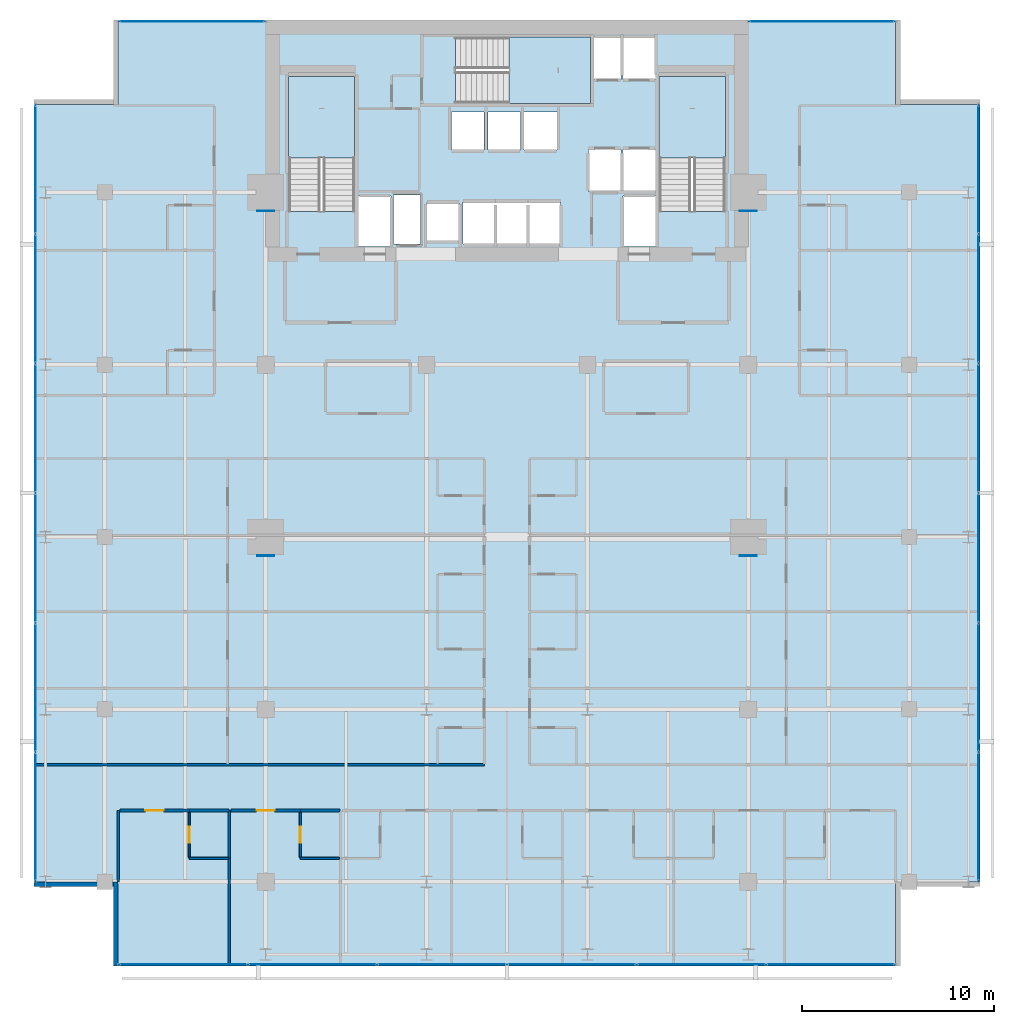
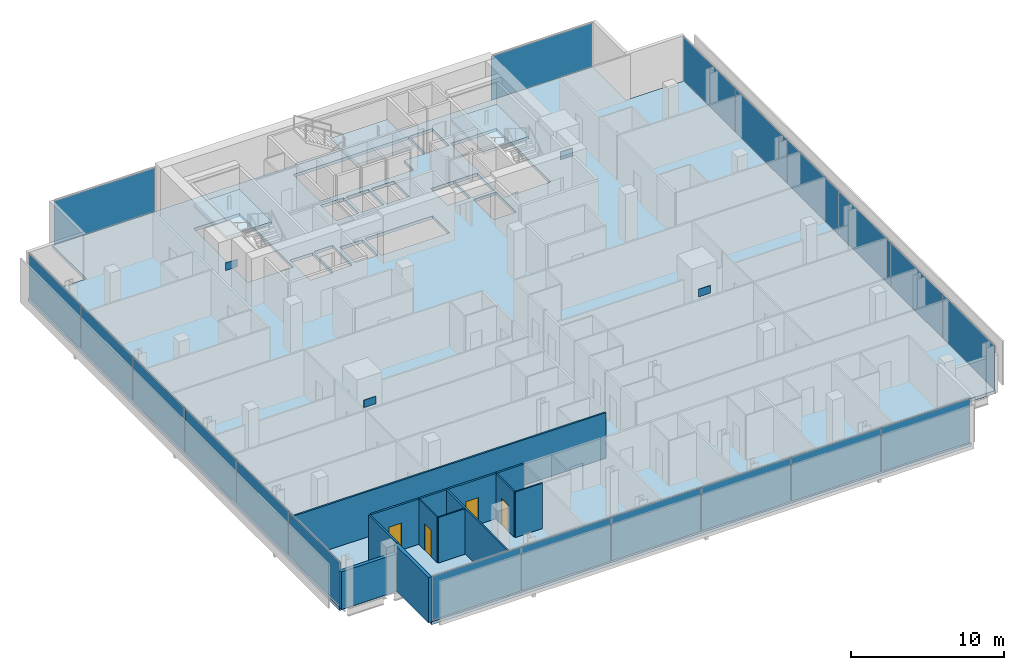
# One storey, part 26 of 34: 24 plates, 13 walls, 4 doors, 4 slabs, 4 openings, 8 elements without a shape of their own.
"""IFC4 building model written with IfcOpenShell, lengths in metres."""

from ifc_helpers import new_model, si_unit, direction, frame, frame_2d, origin, origin_2d, place, context, subcontext, project, spatial, polyline, rectangle, outline, extrude, material, layer, layer_set, type_object, element, fill, aggregate, save


model = new_model("IFC4")

# Units and contexts
model_context = context("Model", 3, precision=1e-05, world=origin(), true_north=direction((0.0, 1.0)))
body_context = subcontext(model_context, "Body", "Model", "MODEL_VIEW")
ifc_project = project(units=[si_unit("LENGTHUNIT", "METRE"), si_unit("AREAUNIT", "SQUARE_METRE"), si_unit("VOLUMEUNIT", "CUBIC_METRE"), si_unit("PLANEANGLEUNIT", "RADIAN"), si_unit("MASSUNIT", "GRAM", prefix="KILO")], contexts=[model_context])

# Site, building, storey
site_placement = place(None, origin())
site = spatial("IfcSite", under=ifc_project, at=site_placement, CompositionType="ELEMENT")
building_placement = place(site_placement, origin())
building = spatial("IfcBuilding", under=site, at=building_placement, Name="Maruvema Waterfront Hotel and Observation Tower", CompositionType="ELEMENT")
storey_placement = place(building_placement, frame((0.0, 0.0, 131.25)))
storey = spatial("IfcBuildingStorey", under=building, at=storey_placement, Name="L31", CompositionType="ELEMENT", Elevation=131.25)

# Slab
ifc_material_1 = material(Name="Concrete C50/60", Category="concrete")
ifc_layer_1 = layer(ifc_material_1, 0.239990234375, Name="Reinforced Concrete Floor Slab 240 mm")
ifc_layer_set_1 = layer_set([ifc_layer_1], Name="Concrete C50/60")
slab_type_1 = type_object("IfcSlabType", Name="Reinforced Concrete Floor Slab 240 mm", PredefinedType="FLOOR", material=ifc_layer_set_1)
slab_1_placement = place(storey_placement, frame((0.0, 0.0, -0.239990234375)))
element("IfcSlab", 1, at=slab_1_placement, inside=storey, type_object=slab_type_1, Name="L31 Structural Floor Slab", PredefinedType="FLOOR", context=body_context, shape_type="SweptSolid", body=[
    extrude(outline(polyline([(17.5, 4.60009765625), (58.10009765625, 4.60009765625), (58.10009765625, 9.0), (62.5, 9.0), (62.5, 49.60009765625), (58.10009765625, 49.60009765625), (58.10009765625, 54.0), (17.5, 54.0), (17.5, 49.60009765625), (13.10009765625, 49.60009765625), (13.10009765625, 9.0), (17.5, 9.0), (17.5, 4.60009765625)]), holes=[polyline([(26.39990234375, 44.00048828125), (26.39990234375, 51.050048828125), (29.85009765625, 51.050048828125), (29.85009765625, 44.00048828125), (26.39990234375, 44.00048828125)]), polyline([(30.050048828125, 44.800048828125), (31.75, 44.800048828125), (31.75, 42.169921875), (30.050048828125, 42.169921875), (30.050048828125, 44.800048828125)]), polyline([(31.8798828125, 44.860107421875), (33.280029296875, 44.860107421875), (33.280029296875, 42.2900390625), (31.8798828125, 42.2900390625), (31.8798828125, 44.860107421875)]), polyline([(33.60009765625, 44.449951171875), (35.300048828125, 44.449951171875), (35.300048828125, 42.449951171875), (33.60009765625, 42.449951171875), (33.60009765625, 44.449951171875)]), polyline([(34.89990234375, 49.199951171875), (36.60009765625, 49.199951171875), (36.60009765625, 47.199951171875), (34.89990234375, 47.199951171875), (34.89990234375, 49.199951171875)]), polyline([(36.800048828125, 49.199951171875), (38.5, 49.199951171875), (38.5, 47.199951171875), (36.800048828125, 47.199951171875), (36.800048828125, 49.199951171875)]), polyline([(35.5, 42.300048828125), (35.5, 44.5), (40.60009765625, 44.5), (40.60009765625, 42.300048828125), (35.5, 42.300048828125)]), polyline([(35.1005859375, 53.10009765625), (43.75, 53.10009765625), (43.75, 50.89990234375), (42.14990234375, 50.89990234375), (42.14990234375, 49.64990234375), (35.1005859375, 49.64990234375), (35.1005859375, 53.10009765625)]), polyline([(38.699951171875, 49.199951171875), (40.39990234375, 49.199951171875), (40.39990234375, 47.199951171875), (38.699951171875, 47.199951171875), (38.699951171875, 49.199951171875)]), polyline([(42.050048828125, 47.25), (43.75, 47.25), (43.75, 45.050048828125), (42.050048828125, 45.050048828125), (42.050048828125, 47.25)]), polyline([(43.85009765625, 44.800048828125), (45.550048828125, 44.800048828125), (45.550048828125, 42.169921875), (43.85009765625, 42.169921875), (43.85009765625, 44.800048828125)]), polyline([(43.85009765625, 47.25), (45.550048828125, 47.25), (45.550048828125, 45.050048828125), (43.85009765625, 45.050048828125), (43.85009765625, 47.25)]), polyline([(45.550048828125, 53.10009765625), (45.550048828125, 50.89990234375), (43.85009765625, 50.89990234375), (43.85009765625, 53.10009765625), (45.550048828125, 53.10009765625)]), polyline([(45.75, 44.00048828125), (45.75, 51.050048828125), (49.199951171875, 51.050048828125), (49.199951171875, 44.00048828125), (45.75, 44.00048828125)])]), origin(), (0.0, 0.0, 1.0), 0.239990234375),
])

# Curtain wall, plates
ifc_material_2 = material(Name="Anodised bronze aluminium and solar-control low-E IGU", Category="aluminium")
ifc_layer_2 = layer(ifc_material_2, 0.159912109375, Name="Zone 2 Amber Inner Thermal Curtain Wall System CW-03")
ifc_layer_set_2 = layer_set([ifc_layer_2], Name="Anodised bronze aluminium and solar-control low-E IGU")
curtain_wall_type = type_object("IfcCurtainWallType", Name="Zone 2 Amber Inner Thermal Curtain Wall System CW-03", PredefinedType="USERDEFINED", material=ifc_layer_set_2)
curtain_wall_1_placement = place(storey_placement, origin())
curtain_wall_1 = element("IfcCurtainWall", 2, at=curtain_wall_1_placement, inside=storey, type_object=curtain_wall_type, Name="L31 Curtain Wall CW-L31-S", ObjectType="UNITISED CURTAIN WALL", PredefinedType="USERDEFINED")
ifc_material_3 = material(Name="Laminated low-E solar-control double glazing", Category="glass")
ifc_layer_3 = layer(ifc_material_3, 0.035888671875, Name="Solar Control Double-Glazed Curtain Panel 36 mm")
ifc_layer_set_3 = layer_set([ifc_layer_3], Name="Laminated low-E solar-control double glazing")
plate_type_1 = type_object("IfcPlateType", Name="Solar Control Double-Glazed Curtain Panel 36 mm", PredefinedType="CURTAIN_PANEL", material=ifc_layer_set_3)
plate_1_placement = place(storey_placement, frame((20.8984375, 4.679931640625, 0.06005859375), z_axis=(0.0, 0.0, 1.0), x_axis=(1.0, 0.0, 0.0)))
plate_1 = element("IfcPlate", 3, at=plate_1_placement, type_object=plate_type_1, Name="CW-03 panel 1.1", PredefinedType="CURTAIN_PANEL", context=body_context, shape_type="SweptSolid", body=[
    extrude(rectangle(XDim=6.6767578125, YDim=0.028076171875, at=origin_2d()), origin(), (0.0, 0.0, 1.0), 3.489990234375),
])
plate_2_placement = place(storey_placement, frame((27.64990234375, 4.679931640625, 0.06005859375), z_axis=(0.0, 0.0, 1.0), x_axis=(1.0, 0.0, 0.0)))
plate_2 = element("IfcPlate", 4, at=plate_2_placement, type_object=plate_type_1, Name="CW-03 panel 2.1", PredefinedType="CURTAIN_PANEL", context=body_context, shape_type="SweptSolid", body=[
    extrude(rectangle(XDim=6.706787109375, YDim=0.028076171875, at=origin_2d()), origin(), (0.0, 0.0, 1.0), 3.489990234375),
])
plate_3_placement = place(storey_placement, frame((34.416748046875, 4.679931640625, 0.06005859375), z_axis=(0.0, 0.0, 1.0), x_axis=(1.0, 0.0, 0.0)))
plate_3 = element("IfcPlate", 5, at=plate_3_placement, type_object=plate_type_1, Name="CW-03 panel 3.1", PredefinedType="CURTAIN_PANEL", context=body_context, shape_type="SweptSolid", body=[
    extrude(rectangle(XDim=6.706787109375, YDim=0.028076171875, at=origin_2d()), origin(), (0.0, 0.0, 1.0), 3.489990234375),
])
plate_4_placement = place(storey_placement, frame((41.183349609375, 4.679931640625, 0.06005859375), z_axis=(0.0, 0.0, 1.0), x_axis=(1.0, 0.0, 0.0)))
plate_4 = element("IfcPlate", 6, at=plate_4_placement, type_object=plate_type_1, Name="CW-03 panel 4.1", PredefinedType="CURTAIN_PANEL", context=body_context, shape_type="SweptSolid", body=[
    extrude(rectangle(XDim=6.706787109375, YDim=0.028076171875, at=origin_2d()), origin(), (0.0, 0.0, 1.0), 3.489990234375),
])
plate_5_placement = place(storey_placement, frame((47.949951171875, 4.679931640625, 0.06005859375), z_axis=(0.0, 0.0, 1.0), x_axis=(1.0, 0.0, 0.0)))
plate_5 = element("IfcPlate", 7, at=plate_5_placement, type_object=plate_type_1, Name="CW-03 panel 5.1", PredefinedType="CURTAIN_PANEL", context=body_context, shape_type="SweptSolid", body=[
    extrude(rectangle(XDim=6.706787109375, YDim=0.028076171875, at=origin_2d()), origin(), (0.0, 0.0, 1.0), 3.489990234375),
])
plate_6_placement = place(storey_placement, frame((54.70166015625, 4.679931640625, 0.06005859375), z_axis=(0.0, 0.0, 1.0), x_axis=(1.0, 0.0, 0.0)))
plate_6 = element("IfcPlate", 8, at=plate_6_placement, type_object=plate_type_1, Name="CW-03 panel 6.1", PredefinedType="CURTAIN_PANEL", context=body_context, shape_type="SweptSolid", body=[
    extrude(rectangle(XDim=6.6767578125, YDim=0.028076171875, at=origin_2d()), origin(), (0.0, 0.0, 1.0), 3.489990234375),
])
aggregate(curtain_wall_1, [plate_1, plate_2, plate_3, plate_4, plate_5, plate_6])

curtain_wall_2_placement = place(storey_placement, origin())
curtain_wall_2 = element("IfcCurtainWall", 9, at=curtain_wall_2_placement, inside=storey, type_object=curtain_wall_type, Name="L31 Curtain Wall CW-L31-E", ObjectType="UNITISED CURTAIN WALL", PredefinedType="USERDEFINED")
plate_7_placement = place(storey_placement, frame((62.419921875, 12.3984375, 0.06005859375), z_axis=(0.0, 0.0, 1.0), x_axis=(0.0, 1.0, 0.0)))
plate_7 = element("IfcPlate", 10, at=plate_7_placement, type_object=plate_type_1, Name="CW-03 panel 1.1", PredefinedType="CURTAIN_PANEL", context=body_context, shape_type="SweptSolid", body=[
    extrude(rectangle(XDim=6.6767578125, YDim=0.028076171875, at=origin_2d()), origin(), (0.0, 0.0, 1.0), 3.489990234375),
])
plate_8_placement = place(storey_placement, frame((62.419921875, 19.14990234375, 0.06005859375), z_axis=(0.0, 0.0, 1.0), x_axis=(0.0, 1.0, 0.0)))
plate_8 = element("IfcPlate", 11, at=plate_8_placement, type_object=plate_type_1, Name="CW-03 panel 2.1", PredefinedType="CURTAIN_PANEL", context=body_context, shape_type="SweptSolid", body=[
    extrude(rectangle(XDim=6.706787109375, YDim=0.028076171875, at=origin_2d()), origin(), (0.0, 0.0, 1.0), 3.489990234375),
])
plate_9_placement = place(storey_placement, frame((62.419921875, 25.916748046875, 0.06005859375), z_axis=(0.0, 0.0, 1.0), x_axis=(0.0, 1.0, 0.0)))
plate_9 = element("IfcPlate", 12, at=plate_9_placement, type_object=plate_type_1, Name="CW-03 panel 3.1", PredefinedType="CURTAIN_PANEL", context=body_context, shape_type="SweptSolid", body=[
    extrude(rectangle(XDim=6.706787109375, YDim=0.028076171875, at=origin_2d()), origin(), (0.0, 0.0, 1.0), 3.489990234375),
])
plate_10_placement = place(storey_placement, frame((62.419921875, 32.683349609375, 0.06005859375), z_axis=(0.0, 0.0, 1.0), x_axis=(0.0, 1.0, 0.0)))
plate_10 = element("IfcPlate", 13, at=plate_10_placement, type_object=plate_type_1, Name="CW-03 panel 4.1", PredefinedType="CURTAIN_PANEL", context=body_context, shape_type="SweptSolid", body=[
    extrude(rectangle(XDim=6.706787109375, YDim=0.028076171875, at=origin_2d()), origin(), (0.0, 0.0, 1.0), 3.489990234375),
])
plate_11_placement = place(storey_placement, frame((62.419921875, 39.449951171875, 0.06005859375), z_axis=(0.0, 0.0, 1.0), x_axis=(0.0, 1.0, 0.0)))
plate_11 = element("IfcPlate", 14, at=plate_11_placement, type_object=plate_type_1, Name="CW-03 panel 5.1", PredefinedType="CURTAIN_PANEL", context=body_context, shape_type="SweptSolid", body=[
    extrude(rectangle(XDim=6.706787109375, YDim=0.028076171875, at=origin_2d()), origin(), (0.0, 0.0, 1.0), 3.489990234375),
])
plate_12_placement = place(storey_placement, frame((62.419921875, 46.20166015625, 0.06005859375), z_axis=(0.0, 0.0, 1.0), x_axis=(0.0, 1.0, 0.0)))
plate_12 = element("IfcPlate", 15, at=plate_12_placement, type_object=plate_type_1, Name="CW-03 panel 6.1", PredefinedType="CURTAIN_PANEL", context=body_context, shape_type="SweptSolid", body=[
    extrude(rectangle(XDim=6.6767578125, YDim=0.028076171875, at=origin_2d()), origin(), (0.0, 0.0, 1.0), 3.489990234375),
])
aggregate(curtain_wall_2, [plate_7, plate_8, plate_9, plate_10, plate_11, plate_12])

curtain_wall_3_placement = place(storey_placement, origin())
curtain_wall_3 = element("IfcCurtainWall", 16, at=curtain_wall_3_placement, inside=storey, type_object=curtain_wall_type, Name="L31 Curtain Wall CW-L31-W", ObjectType="UNITISED CURTAIN WALL", PredefinedType="USERDEFINED")
plate_13_placement = place(storey_placement, frame((13.179931640625, 46.20166015625, 0.06005859375), z_axis=(0.0, 0.0, 1.0), x_axis=(0.0, -1.0, 0.0)))
plate_13 = element("IfcPlate", 17, at=plate_13_placement, type_object=plate_type_1, Name="CW-03 panel 1.1", PredefinedType="CURTAIN_PANEL", context=body_context, shape_type="SweptSolid", body=[
    extrude(rectangle(XDim=6.6767578125, YDim=0.028076171875, at=origin_2d()), origin(), (0.0, 0.0, 1.0), 3.489990234375),
])
plate_14_placement = place(storey_placement, frame((13.179931640625, 39.449951171875, 0.06005859375), z_axis=(0.0, 0.0, 1.0), x_axis=(0.0, -1.0, 0.0)))
plate_14 = element("IfcPlate", 18, at=plate_14_placement, type_object=plate_type_1, Name="CW-03 panel 2.1", PredefinedType="CURTAIN_PANEL", context=body_context, shape_type="SweptSolid", body=[
    extrude(rectangle(XDim=6.706787109375, YDim=0.028076171875, at=origin_2d()), origin(), (0.0, 0.0, 1.0), 3.489990234375),
])
plate_15_placement = place(storey_placement, frame((13.179931640625, 32.683349609375, 0.06005859375), z_axis=(0.0, 0.0, 1.0), x_axis=(0.0, -1.0, 0.0)))
plate_15 = element("IfcPlate", 19, at=plate_15_placement, type_object=plate_type_1, Name="CW-03 panel 3.1", PredefinedType="CURTAIN_PANEL", context=body_context, shape_type="SweptSolid", body=[
    extrude(rectangle(XDim=6.706787109375, YDim=0.028076171875, at=origin_2d()), origin(), (0.0, 0.0, 1.0), 3.489990234375),
])
plate_16_placement = place(storey_placement, frame((13.179931640625, 25.916748046875, 0.06005859375), z_axis=(0.0, 0.0, 1.0), x_axis=(0.0, -1.0, 0.0)))
plate_16 = element("IfcPlate", 20, at=plate_16_placement, type_object=plate_type_1, Name="CW-03 panel 4.1", PredefinedType="CURTAIN_PANEL", context=body_context, shape_type="SweptSolid", body=[
    extrude(rectangle(XDim=6.706787109375, YDim=0.028076171875, at=origin_2d()), origin(), (0.0, 0.0, 1.0), 3.489990234375),
])
plate_17_placement = place(storey_placement, frame((13.179931640625, 19.14990234375, 0.06005859375), z_axis=(0.0, 0.0, 1.0), x_axis=(0.0, -1.0, 0.0)))
plate_17 = element("IfcPlate", 21, at=plate_17_placement, type_object=plate_type_1, Name="CW-03 panel 5.1", PredefinedType="CURTAIN_PANEL", context=body_context, shape_type="SweptSolid", body=[
    extrude(rectangle(XDim=6.706787109375, YDim=0.028076171875, at=origin_2d()), origin(), (0.0, 0.0, 1.0), 3.489990234375),
])
plate_18_placement = place(storey_placement, frame((13.179931640625, 12.3984375, 0.06005859375), z_axis=(0.0, 0.0, 1.0), x_axis=(0.0, -1.0, 0.0)))
plate_18 = element("IfcPlate", 22, at=plate_18_placement, type_object=plate_type_1, Name="CW-03 panel 6.1", PredefinedType="CURTAIN_PANEL", context=body_context, shape_type="SweptSolid", body=[
    extrude(rectangle(XDim=6.6767578125, YDim=0.028076171875, at=origin_2d()), origin(), (0.0, 0.0, 1.0), 3.489990234375),
])
aggregate(curtain_wall_3, [plate_13, plate_14, plate_15, plate_16, plate_17, plate_18])

# Curtain wall, plate
curtain_wall_4_placement = place(storey_placement, origin())
curtain_wall_4 = element("IfcCurtainWall", 23, at=curtain_wall_4_placement, inside=storey, type_object=curtain_wall_type, Name="L31 Curtain Wall CW-L31-NW", ObjectType="UNITISED CURTAIN WALL", PredefinedType="USERDEFINED")
plate_19_placement = place(storey_placement, frame((21.35009765625, 53.919921875, 0.06005859375), z_axis=(0.0, 0.0, 1.0), x_axis=(-1.0, 0.0, 0.0)))
plate_19 = element("IfcPlate", 24, at=plate_19_placement, type_object=plate_type_1, Name="CW-03 panel 1.1", PredefinedType="CURTAIN_PANEL", context=body_context, shape_type="SweptSolid", body=[
    extrude(rectangle(XDim=7.580078125, YDim=0.028076171875, at=origin_2d()), origin(), (0.0, 0.0, 1.0), 3.489990234375),
])
aggregate(curtain_wall_4, [plate_19])

curtain_wall_5_placement = place(storey_placement, origin())
curtain_wall_5 = element("IfcCurtainWall", 25, at=curtain_wall_5_placement, inside=storey, type_object=curtain_wall_type, Name="L31 Curtain Wall CW-L31-NE", ObjectType="UNITISED CURTAIN WALL", PredefinedType="USERDEFINED")
plate_20_placement = place(storey_placement, frame((54.25, 53.919921875, 0.06005859375), z_axis=(0.0, 0.0, 1.0), x_axis=(-1.0, 0.0, 0.0)))
plate_20 = element("IfcPlate", 26, at=plate_20_placement, type_object=plate_type_1, Name="CW-03 panel 1.1", PredefinedType="CURTAIN_PANEL", context=body_context, shape_type="SweptSolid", body=[
    extrude(rectangle(XDim=7.580078125, YDim=0.028076171875, at=origin_2d()), origin(), (0.0, 0.0, 1.0), 3.489990234375),
])
aggregate(curtain_wall_5, [plate_20])

# Stair, slab
ifc_material_4 = material(Name="Concrete C50/60", Category="concrete")
stair_type = type_object("IfcStairType", Name="Dogleg Exit Stair 1650 mm (22R x 175.0 mm)", PredefinedType="HALF_TURN_STAIR", material=ifc_material_4)
stair_1_placement = place(storey_placement, origin())
stair_1 = element("IfcStair", 27, at=stair_1_placement, inside=storey, type_object=stair_type, Name="L31 ST-01", PredefinedType="HALF_TURN_STAIR")
ifc_material_5 = material(Name="Concrete C50/60", Category="concrete")
ifc_layer_4 = layer(ifc_material_5, 0.219970703125, Name="Stair Concrete Landing Slab 220 mm")
ifc_layer_set_4 = layer_set([ifc_layer_4], Name="Concrete C50/60")
slab_type_2 = type_object("IfcSlabType", Name="Stair Concrete Landing Slab 220 mm", PredefinedType="LANDING", material=ifc_layer_set_4)
slab_2_placement = place(storey_placement, frame((0.0, 0.0, 1.705078125)))
slab_2 = element("IfcSlab", 28, at=slab_2_placement, type_object=slab_type_2, Name="ST-01 landing 1", PredefinedType="LANDING", context=body_context, shape_type="SweptSolid", body=[
    extrude(outline(polyline([(29.85009765625, 46.800048828125), (29.85009765625, 51.050048828125), (26.39990234375, 51.050048828125), (26.39990234375, 46.800048828125), (29.85009765625, 46.800048828125)])), origin(), (0.0, 0.0, 1.0), 0.219970703125),
])
aggregate(stair_1, [slab_2])

stair_2_placement = place(storey_placement, origin())
stair_2 = element("IfcStair", 29, at=stair_2_placement, inside=storey, type_object=stair_type, Name="L31 ST-02", PredefinedType="HALF_TURN_STAIR")
slab_3_placement = place(storey_placement, frame((0.0, 0.0, 1.705078125)))
slab_3 = element("IfcSlab", 30, at=slab_3_placement, type_object=slab_type_2, Name="ST-02 landing 1", PredefinedType="LANDING", context=body_context, shape_type="SweptSolid", body=[
    extrude(outline(polyline([(37.89990234375, 49.64990234375), (42.14990234375, 49.64990234375), (42.14990234375, 53.10009765625), (37.89990234375, 53.10009765625), (37.89990234375, 49.64990234375)])), origin(), (0.0, 0.0, 1.0), 0.219970703125),
])
aggregate(stair_2, [slab_3])

stair_3_placement = place(storey_placement, origin())
stair_3 = element("IfcStair", 31, at=stair_3_placement, inside=storey, type_object=stair_type, Name="L31 ST-03", PredefinedType="HALF_TURN_STAIR")
slab_4_placement = place(storey_placement, frame((0.0, 0.0, 1.705078125)))
slab_4 = element("IfcSlab", 32, at=slab_4_placement, type_object=slab_type_2, Name="ST-03 landing 1", PredefinedType="LANDING", context=body_context, shape_type="SweptSolid", body=[
    extrude(outline(polyline([(49.199951171875, 46.800048828125), (49.199951171875, 51.050048828125), (45.75, 51.050048828125), (45.75, 46.800048828125), (49.199951171875, 46.800048828125)])), origin(), (0.0, 0.0, 1.0), 0.219970703125),
])
aggregate(stair_3, [slab_4])

# Plates
ifc_material_6 = material(Name="Steel ABNT NBR 7007 AR 415 (ASTM A572 Grade 50)", Category="steel")
ifc_layer_5 = layer(ifc_material_6, 0.0400390625, Name="Structural Truss Node Gusset Plate 40 mm")
ifc_layer_set_5 = layer_set([ifc_layer_5], Name="Steel ABNT NBR 7007 AR 415 (ASTM A572 Grade 50)")
plate_type_2 = type_object("IfcPlateType", Name="Structural Truss Node Gusset Plate 40 mm", PredefinedType="USERDEFINED", material=ifc_layer_set_5)
for number, where, z_axis, x_axis, name in (
    (33, (25.199951171875, 26.030029296875, 1.5), (0.0, 0.0, 1.0), (1.0, 0.0, 0.0), "L31 MC-01 Moment Frame Continuity Gusset Plate"),
    (34, (50.39990234375, 26.030029296875, 1.5), (0.0, 0.0, 1.0), (1.0, 0.0, 0.0), "L31 MC-02 Moment Frame Continuity Gusset Plate"),
    (35, (25.199951171875, 44.030029296875, 1.5), (0.0, 0.0, 1.0), (1.0, 0.0, 0.0), "L31 MC-03 Moment Frame Continuity Gusset Plate"),
    (36, (50.39990234375, 44.030029296875, 1.5), (0.0, 0.0, 1.0), (1.0, 0.0, 0.0), "L31 MC-04 Moment Frame Continuity Gusset Plate"),
):
    element("IfcPlate", number, at=place(storey_placement, frame(where, z_axis=z_axis, x_axis=x_axis)), inside=storey, type_object=plate_type_2, Name=name, ObjectType="GUSSET_PLATE", PredefinedType="USERDEFINED", context=body_context, shape_type="SweptSolid", body=[
        extrude(rectangle(XDim=0.89990234375, YDim=0.0400390625, at=origin_2d()), origin(), (0.0, 0.0, 1.0), 0.60009765625),
    ])

# Wall
ifc_material_7 = material(Name="Twin-stud acoustic gypsum drywall", Category="gypsum")
ifc_layer_6 = layer(ifc_material_7, 0.14990234375, Name="Acoustic Corridor and Suite Demising Wall 150 mm")
ifc_layer_set_6 = layer_set([ifc_layer_6], Name="Twin-stud acoustic gypsum drywall")
wall_type_1 = type_object("IfcWallType", Name="Acoustic Corridor and Suite Demising Wall 150 mm", PredefinedType="PARTITIONING", material=ifc_layer_set_6)
wall_1_placement = place(storey_placement, frame((21.2099609375, 12.719970703125, 0.0), z_axis=(0.0, 0.0, 1.0), x_axis=(1.0, 0.0, 0.0)))
element("IfcWall", 37, at=wall_1_placement, inside=storey, type_object=wall_type_1, Name="L31 Bath L31-S1 Back Wall 027", PredefinedType="PARTITIONING", context=body_context, shape_type="SweptSolid", body=[
    extrude(rectangle(XDim=2.070068359375, YDim=0.14990234375, at=frame_2d((1.03515625, 0.0))), origin(), (0.0, 0.0, 1.0), 3.610107421875),
])

# Wall, opening, door
wall_2_placement = place(storey_placement, frame((17.580078125, 12.719970703125, 0.0), z_axis=(0.0, 0.0, 1.0), x_axis=(1.0, 0.0, 0.0)))
wall_2 = element("IfcWall", 38, at=wall_2_placement, inside=storey, type_object=wall_type_1, Name="L31 Unit L31-S1 Corridor Wall 030", PredefinedType="PARTITIONING", context=body_context, shape_type="SweptSolid", body=[
    extrude(rectangle(XDim=3.6298828125, YDim=0.14990234375, at=frame_2d((1.81494140625, 0.0))), origin(), (0.0, 0.0, 1.0), 3.610107421875),
])
opening_1_placement = place(wall_2_placement, frame((1.340087890625, 0.0, 0.0)))
opening_1 = element("IfcOpeningElement", 39, at=opening_1_placement, cuts=wall_2, Name="Opening DR-095", PredefinedType="OPENING", context=body_context, shape_type="SweptSolid", body=[
    extrude(rectangle(XDim=0.949951171875, YDim=2.14990234375, at=frame_2d((0.47509765625, 1.074951171875))), frame((0.0, 0.0849609375, 0.0), z_axis=(0.0, -1.0, 0.0), x_axis=(1.0, 0.0, 0.0)), (0.0, 0.0, 1.0), 0.169921875),
])
ifc_material_8 = material(Name="Acoustic solid-core hardwood timber leaf", Category="wood")
door_type_1 = type_object("IfcDoorType", Name="Guestroom Entrance Fire Door 950x2150 mm", OperationType="NOTDEFINED", PredefinedType="DOOR", material=ifc_material_8)
door_1_placement = place(opening_1_placement, frame((0.949951171875, 0.0, 0.0), z_axis=(0.0, 0.0, 1.0), x_axis=(-1.0, 0.0, 0.0)))
door_1 = element("IfcDoor", 40, at=door_1_placement, inside=storey, type_object=door_type_1, Name="L31 Unit L31-S1 Entrance Door", OperationType="SINGLE_SWING_RIGHT", OverallHeight=2.14990234375, OverallWidth=0.949951171875, PredefinedType="DOOR", context=body_context, shape_type="SweptSolid", body=[
    extrude(rectangle(XDim=0.949951171875, YDim=2.14990234375, at=frame_2d((0.47509765625, 1.074951171875))), frame((0.0, 0.02490234375, 0.0), z_axis=(0.0, -1.0, 0.0), x_axis=(1.0, 0.0, 0.0)), (0.0, 0.0, 1.0), 0.050048828125),
])
fill(opening_1, door_1)

# Wall
wall_3_placement = place(storey_placement, frame((27.010009765625, 12.719970703125, 0.0), z_axis=(0.0, 0.0, 1.0), x_axis=(1.0, 0.0, 0.0)))
element("IfcWall", 41, at=wall_3_placement, inside=storey, type_object=wall_type_1, Name="L31 Bath L31-S2 Back Wall 032", PredefinedType="PARTITIONING", context=body_context, shape_type="SweptSolid", body=[
    extrude(rectangle(XDim=2.070068359375, YDim=0.14990234375, at=frame_2d((1.03515625, 0.0))), origin(), (0.0, 0.0, 1.0), 3.610107421875),
])

# Wall, opening, door
wall_4_placement = place(storey_placement, frame((23.3798828125, 12.719970703125, 0.0), z_axis=(0.0, 0.0, 1.0), x_axis=(1.0, 0.0, 0.0)))
wall_4 = element("IfcWall", 42, at=wall_4_placement, inside=storey, type_object=wall_type_1, Name="L31 Unit L31-S2 Corridor Wall 035", PredefinedType="PARTITIONING", context=body_context, shape_type="SweptSolid", body=[
    extrude(rectangle(XDim=3.630126953125, YDim=0.14990234375, at=frame_2d((1.81494140625, 0.0))), origin(), (0.0, 0.0, 1.0), 3.610107421875),
])
opening_2_placement = place(wall_4_placement, frame((1.340087890625, 0.0, 0.0)))
opening_2 = element("IfcOpeningElement", 43, at=opening_2_placement, cuts=wall_4, Name="Opening DR-095", PredefinedType="OPENING", context=body_context, shape_type="SweptSolid", body=[
    extrude(rectangle(XDim=0.949951171875, YDim=2.14990234375, at=frame_2d((0.47509765625, 1.074951171875))), frame((0.0, 0.0849609375, 0.0), z_axis=(0.0, -1.0, 0.0), x_axis=(1.0, 0.0, 0.0)), (0.0, 0.0, 1.0), 0.169921875),
])
door_2_placement = place(opening_2_placement, frame((0.949951171875, 0.0, 0.0), z_axis=(0.0, 0.0, 1.0), x_axis=(-1.0, 0.0, 0.0)))
door_2 = element("IfcDoor", 44, at=door_2_placement, inside=storey, type_object=door_type_1, Name="L31 Unit L31-S2 Entrance Door", OperationType="SINGLE_SWING_RIGHT", OverallHeight=2.14990234375, OverallWidth=0.949951171875, PredefinedType="DOOR", context=body_context, shape_type="SweptSolid", body=[
    extrude(rectangle(XDim=0.949951171875, YDim=2.14990234375, at=frame_2d((0.47509765625, 1.074951171875))), frame((0.0, 0.02490234375, 0.0), z_axis=(0.0, -1.0, 0.0), x_axis=(1.0, 0.0, 0.0)), (0.0, 0.0, 1.0), 0.050048828125),
])
fill(opening_2, door_2)

# Wall
ifc_material_9 = material(Name="Moisture-resistant cement-board drywall", Category="gypsum")
ifc_layer_7 = layer(ifc_material_9, 0.10009765625, Name="En-Suite Moisture-Resistant Partition 100 mm")
ifc_layer_set_7 = layer_set([ifc_layer_7], Name="Moisture-resistant cement-board drywall")
wall_type_2 = type_object("IfcWallType", Name="En-Suite Moisture-Resistant Partition 100 mm", PredefinedType="PARTITIONING", material=ifc_layer_set_7)
wall_5_placement = place(storey_placement, frame((21.2099609375, 10.219970703125, 0.0), z_axis=(0.0, 0.0, 1.0), x_axis=(1.0, 0.0, 0.0)))
element("IfcWall", 45, at=wall_5_placement, inside=storey, type_object=wall_type_2, Name="L31 En-Suite L31-S1 South 028", PredefinedType="PARTITIONING", context=body_context, shape_type="SweptSolid", body=[
    extrude(rectangle(XDim=2.050048828125, YDim=0.10009765625, at=frame_2d((1.02490234375, 0.0))), origin(), (0.0, 0.0, 1.0), 3.610107421875),
])

# Wall, opening, door
wall_6_placement = place(storey_placement, frame((21.2099609375, 10.280029296875, 0.0), z_axis=(0.0, 0.0, 1.0), x_axis=(0.0, 1.0, 0.0)))
wall_6 = element("IfcWall", 46, at=wall_6_placement, inside=storey, type_object=wall_type_2, Name="L31 En-Suite L31-S1 West 029", PredefinedType="PARTITIONING", context=body_context, shape_type="SweptSolid", body=[
    extrude(rectangle(XDim=2.340087890625, YDim=0.10009765625, at=frame_2d((1.169921875, 0.0))), origin(), (0.0, 0.0, 1.0), 3.610107421875),
])
opening_3_placement = place(wall_6_placement, frame((0.7451171875, 0.0, 0.0)))
opening_3 = element("IfcOpeningElement", 47, at=opening_3_placement, cuts=wall_6, Name="Opening DR-085", PredefinedType="OPENING", context=body_context, shape_type="SweptSolid", body=[
    extrude(rectangle(XDim=0.85009765625, YDim=2.10009765625, at=frame_2d((0.425048828125, 1.050048828125))), frame((0.0, 0.06005859375, 0.0), z_axis=(0.0, -1.0, 0.0), x_axis=(1.0, 0.0, 0.0)), (0.0, 0.0, 1.0), 0.1201171875),
])
ifc_material_10 = material(Name="Moisture-resistant solid timber leaf", Category="wood")
door_type_2 = type_object("IfcDoorType", Name="En-Suite Bathroom Door 850x2100 mm", OperationType="NOTDEFINED", PredefinedType="DOOR", material=ifc_material_10)
door_3_placement = place(opening_3_placement, origin())
door_3 = element("IfcDoor", 48, at=door_3_placement, inside=storey, type_object=door_type_2, Name="L31 En-Suite L31-S1 Door", OperationType="SINGLE_SWING_LEFT", OverallHeight=2.10009765625, OverallWidth=0.85009765625, PredefinedType="DOOR", context=body_context, shape_type="SweptSolid", body=[
    extrude(rectangle(XDim=0.85009765625, YDim=2.10009765625, at=frame_2d((0.425048828125, 1.050048828125))), frame((0.0, 0.02490234375, 0.0), z_axis=(0.0, -1.0, 0.0), x_axis=(1.0, 0.0, 0.0)), (0.0, 0.0, 1.0), 0.050048828125),
])
fill(opening_3, door_3)

# Wall
wall_7_placement = place(storey_placement, frame((27.010009765625, 10.219970703125, 0.0), z_axis=(0.0, 0.0, 1.0), x_axis=(1.0, 0.0, 0.0)))
element("IfcWall", 49, at=wall_7_placement, inside=storey, type_object=wall_type_2, Name="L31 En-Suite L31-S2 South 033", PredefinedType="PARTITIONING", context=body_context, shape_type="SweptSolid", body=[
    extrude(rectangle(XDim=2.050048828125, YDim=0.10009765625, at=frame_2d((1.02490234375, 0.0))), origin(), (0.0, 0.0, 1.0), 3.610107421875),
])

# Wall, opening, door
wall_8_placement = place(storey_placement, frame((27.010009765625, 10.280029296875, 0.0), z_axis=(0.0, 0.0, 1.0), x_axis=(0.0, 1.0, 0.0)))
wall_8 = element("IfcWall", 50, at=wall_8_placement, inside=storey, type_object=wall_type_2, Name="L31 En-Suite L31-S2 West 034", PredefinedType="PARTITIONING", context=body_context, shape_type="SweptSolid", body=[
    extrude(rectangle(XDim=2.340087890625, YDim=0.10009765625, at=frame_2d((1.169921875, 0.0))), origin(), (0.0, 0.0, 1.0), 3.610107421875),
])
opening_4_placement = place(wall_8_placement, frame((0.7451171875, 0.0, 0.0)))
opening_4 = element("IfcOpeningElement", 51, at=opening_4_placement, cuts=wall_8, Name="Opening DR-085", PredefinedType="OPENING", context=body_context, shape_type="SweptSolid", body=[
    extrude(rectangle(XDim=0.85009765625, YDim=2.10009765625, at=frame_2d((0.425048828125, 1.050048828125))), frame((0.0, 0.06005859375, 0.0), z_axis=(0.0, -1.0, 0.0), x_axis=(1.0, 0.0, 0.0)), (0.0, 0.0, 1.0), 0.1201171875),
])
door_4_placement = place(opening_4_placement, origin())
door_4 = element("IfcDoor", 52, at=door_4_placement, inside=storey, type_object=door_type_2, Name="L31 En-Suite L31-S2 Door", OperationType="SINGLE_SWING_LEFT", OverallHeight=2.10009765625, OverallWidth=0.85009765625, PredefinedType="DOOR", context=body_context, shape_type="SweptSolid", body=[
    extrude(rectangle(XDim=0.85009765625, YDim=2.10009765625, at=frame_2d((0.425048828125, 1.050048828125))), frame((0.0, 0.02490234375, 0.0), z_axis=(0.0, -1.0, 0.0), x_axis=(1.0, 0.0, 0.0)), (0.0, 0.0, 1.0), 0.050048828125),
])
fill(opening_4, door_4)

# Walls
ifc_material_11 = material(Name="Precast concrete C45/55 with honed Pernambuco granite facing", Category="masonry")
ifc_layer_8 = layer(ifc_material_11, 0.260009765625, Name="Exterior Granite Clad Spandrel and Pier Wall 260 mm")
ifc_layer_set_8 = layer_set([ifc_layer_8], Name="Precast concrete C45/55 with honed Pernambuco granite facing")
wall_type_3 = type_object("IfcWallType", Name="Exterior Granite Clad Spandrel and Pier Wall 260 mm", PredefinedType="SOLIDWALL", material=ifc_layer_set_8)
wall_9_placement = place(storey_placement, frame((17.3701171875, 4.60009765625, 0.0), z_axis=(0.0, 0.0, 1.0), x_axis=(0.0, 1.0, 0.0)))
element("IfcWall", 53, at=wall_9_placement, inside=storey, type_object=wall_type_3, Name="L31 Corner Notch Granite Pier Wall SW1", PredefinedType="SOLIDWALL", context=body_context, shape_type="SweptSolid", body=[
    extrude(rectangle(XDim=4.39990234375, YDim=0.260009765625, at=frame_2d((2.199951171875, 0.0))), origin(), (0.0, 0.0, 1.0), 3.610107421875),
])
wall_10_placement = place(storey_placement, frame((17.5, 8.8701171875, 0.0), z_axis=(0.0, 0.0, 1.0), x_axis=(-1.0, 0.0, 0.0)))
element("IfcWall", 54, at=wall_10_placement, inside=storey, type_object=wall_type_3, Name="L31 Corner Notch Granite Pier Wall SW2", PredefinedType="SOLIDWALL", context=body_context, shape_type="SweptSolid", body=[
    extrude(rectangle(XDim=4.39990234375, YDim=0.260009765625, at=frame_2d((2.199951171875, 0.0))), origin(), (0.0, 0.0, 1.0), 2.998046875),
])
ifc_material_12 = material(Name="Acoustic gypsum plasterboard drywall", Category="gypsum")
ifc_layer_9 = layer(ifc_material_12, 0.125, Name="Guestroom Acoustic Demising Wall 125 mm")
ifc_layer_set_9 = layer_set([ifc_layer_9], Name="Acoustic gypsum plasterboard drywall")
wall_type_4 = type_object("IfcWallType", Name="Guestroom Acoustic Demising Wall 125 mm", PredefinedType="PARTITIONING", material=ifc_layer_set_9)
wall_11_placement = place(storey_placement, frame((17.5, 9.0, 0.0), z_axis=(0.0, 0.0, 1.0), x_axis=(0.0, 1.0, 0.0)))
element("IfcWall", 55, at=wall_11_placement, inside=storey, type_object=wall_type_4, Name="L31 Z2 S West End 025", PredefinedType="PARTITIONING", context=body_context, shape_type="SweptSolid", body=[
    extrude(rectangle(XDim=3.719970703125, YDim=0.125, at=frame_2d((1.85986328125, 0.0))), origin(), (0.0, 0.0, 1.0), 3.610107421875),
])
wall_12_placement = place(storey_placement, frame((23.300048828125, 4.699951171875, 0.0), z_axis=(0.0, 0.0, 1.0), x_axis=(0.0, 1.0, 0.0)))
element("IfcWall", 56, at=wall_12_placement, inside=storey, type_object=wall_type_4, Name="L31 Z2 S Demising 2 031", PredefinedType="PARTITIONING", context=body_context, shape_type="SweptSolid", body=[
    extrude(rectangle(XDim=8.02001953125, YDim=0.125, at=frame_2d((4.010009765625, 0.0))), origin(), (0.0, 0.0, 1.0), 3.610107421875),
])
wall_13_placement = place(storey_placement, frame((13.199951171875, 15.10009765625, 0.0), z_axis=(0.0, 0.0, 1.0), x_axis=(1.0, 0.0, 0.0)))
element("IfcWall", 57, at=wall_13_placement, inside=storey, type_object=wall_type_4, Name="L31 Z2 W Bot End 061", PredefinedType="PARTITIONING", context=body_context, shape_type="SweptSolid", body=[
    extrude(rectangle(XDim=23.420166015625, YDim=0.125, at=frame_2d((11.7099609375, 0.0))), origin(), (0.0, 0.0, 1.0), 3.610107421875),
])

save(model, "model.ifc")
